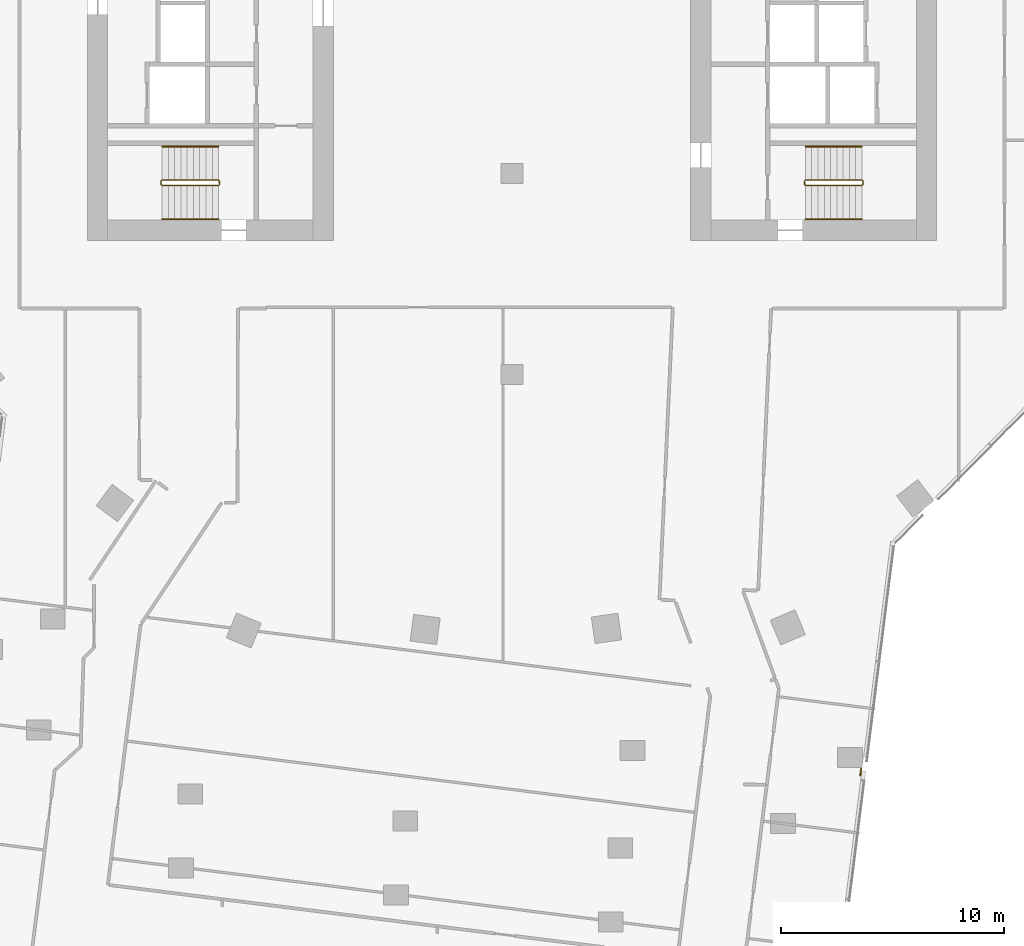
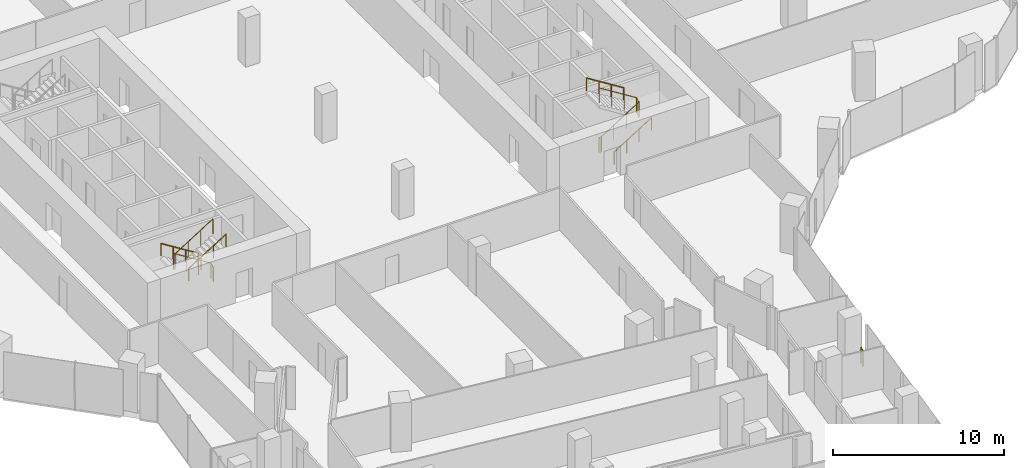
# One storey, part 25 of 27: 7 railings.
"""IFC4 building model written with IfcOpenShell, lengths in metres."""

from ifc_helpers import new_model, si_unit, direction, frame, origin, origin_2d, place, context, subcontext, project, spatial, circle, extrude, material, type_object, element, save


model = new_model("IFC4")

# Units and contexts
model_context = context("Model", 3, precision=1e-05, world=origin(), true_north=direction((0.0, 1.0)))
body_context = subcontext(model_context, "Body", "Model", "MODEL_VIEW")
ifc_project = project(units=[si_unit("LENGTHUNIT", "METRE"), si_unit("AREAUNIT", "SQUARE_METRE"), si_unit("VOLUMEUNIT", "CUBIC_METRE"), si_unit("PLANEANGLEUNIT", "RADIAN"), si_unit("MASSUNIT", "GRAM", prefix="KILO")], contexts=[model_context])

# Site, building, storey
site_placement = place(None, origin())
site = spatial("IfcSite", under=ifc_project, at=site_placement, CompositionType="ELEMENT")
building_placement = place(site_placement, origin())
building = spatial("IfcBuilding", under=site, at=building_placement, Name="Orlundy Tower", CompositionType="ELEMENT")
storey_placement = place(building_placement, frame((0.0, 0.0, 199.10009765625)))
storey = spatial("IfcBuildingStorey", under=building, at=storey_placement, Name="L52", CompositionType="ELEMENT", Elevation=199.10009765625)

# Railings
ifc_material_1 = material(Name="Steel balustrade", Category="steel")
railing_type_1 = type_object("IfcRailingType", Name="Stair Guard 1100", PredefinedType="GUARDRAIL", material=ifc_material_1)
railing_1_placement = place(storey_placement, frame((-13.090087890625, -9.35009765625, 0.0)))
element("IfcRailing", 1, at=railing_1_placement, inside=storey, type_object=railing_type_1, Name="L52 ST-W2 stair guard 1", PredefinedType="GUARDRAIL", context=body_context, shape_type="SweptSolid", body=[
    extrude(circle(Radius=0.02392578125, at=origin_2d()), frame((0.0, 0.0, 1.076171875), z_axis=(0.0, -1.0, 0.0), x_axis=(1.0, 0.0, 0.0)), (0.0, 0.0, 1.0), 0.14990234375),
    extrude(circle(Radius=0.02392578125, at=origin_2d()), frame((0.0, -0.14990234375, 1.076171875), z_axis=(-0.184313129624, 0.739963005698, 0.646902945152), x_axis=(-0.970351222016, -0.241699205484, 0.0)), (0.0, 0.0, 1.0), 0.270263671875),
    extrude(circle(Radius=0.02392578125, at=origin_2d()), frame((-0.0498046875, 0.050048828125, 1.2509765625), z_axis=(-0.847970611238, 0.0, 0.530043245855), x_axis=(0.0, -1.0, 0.0)), (0.0, 0.0, 1.0), 2.971923828125),
    extrude(circle(Radius=0.02392578125, at=origin_2d()), frame((-2.56982421875, 0.050048828125, 2.826171875), z_axis=(-0.707106781187, -0.707106781187, 0.0), x_axis=(0.707106781187, -0.707106781187, 0.0)), (0.0, 0.0, 1.0), 0.07080078125),
    extrude(circle(Radius=0.02392578125, at=origin_2d()), frame((-2.619873046875, 0.0, 2.826171875), z_axis=(0.0, -1.0, 0.0), x_axis=(1.0, 0.0, 0.0)), (0.0, 0.0, 1.0), 0.14990234375),
    extrude(circle(Radius=0.02392578125, at=origin_2d()), frame((-2.619873046875, -0.14990234375, 2.826171875), z_axis=(0.265383341853, -0.265383341853, 0.926899867156), x_axis=(0.707106781187, 0.707106781187, 0.0)), (0.0, 0.0, 1.0), 0.1884765625),
    extrude(circle(Radius=0.02392578125, at=origin_2d()), frame((-2.56982421875, -0.199951171875, 3.0009765625), z_axis=(0.847970611238, 0.0, 0.530043245855), x_axis=(0.0, 1.0, 0.0)), (0.0, 0.0, 1.0), 2.971923828125),
    extrude(circle(Radius=0.02099609375, at=origin_2d()), origin(), (0.0, 0.0, 1.0), 1.052001953125),
    extrude(circle(Radius=0.02099609375, at=origin_2d()), frame((0.0, -0.14990234375, 0.0)), (0.0, 0.0, 1.0), 1.052001953125),
    extrude(circle(Radius=0.02099609375, at=origin_2d()), frame((-0.0498046875, 0.050048828125, 0.1748046875)), (0.0, 0.0, 1.0), 1.052001953125),
    extrude(circle(Radius=0.02099609375, at=origin_2d()), frame((-0.889892578125, 0.050048828125, 0.699951171875)), (0.0, 0.0, 1.0), 1.052001953125),
    extrude(circle(Radius=0.02099609375, at=origin_2d()), frame((-1.729736328125, 0.050048828125, 1.224853515625)), (0.0, 0.0, 1.0), 1.052001953125),
    extrude(circle(Radius=0.02099609375, at=origin_2d()), frame((-2.56982421875, 0.050048828125, 1.75)), (0.0, 0.0, 1.0), 1.052001953125),
    extrude(circle(Radius=0.02099609375, at=origin_2d()), frame((-2.619873046875, 0.0, 1.75)), (0.0, 0.0, 1.0), 1.052001953125),
    extrude(circle(Radius=0.02099609375, at=origin_2d()), frame((-2.619873046875, -0.14990234375, 1.75)), (0.0, 0.0, 1.0), 1.052001953125),
    extrude(circle(Radius=0.02099609375, at=origin_2d()), frame((-2.56982421875, -0.199951171875, 1.9248046875)), (0.0, 0.0, 1.0), 1.052001953125),
    extrude(circle(Radius=0.02099609375, at=origin_2d()), frame((-1.729736328125, -0.199951171875, 2.449951171875)), (0.0, 0.0, 1.0), 1.052001953125),
    extrude(circle(Radius=0.02099609375, at=origin_2d()), frame((-0.889892578125, -0.199951171875, 2.974853515625)), (0.0, 0.0, 1.0), 1.052001953125),
    extrude(circle(Radius=0.02099609375, at=origin_2d()), frame((-0.0498046875, -0.199951171875, 3.5)), (0.0, 0.0, 1.0), 1.052001953125),
])
railing_2_placement = place(storey_placement, frame((13.090087890625, -9.5, 0.0)))
element("IfcRailing", 2, at=railing_2_placement, inside=storey, type_object=railing_type_1, Name="L52 ST-E1 stair guard 1", PredefinedType="GUARDRAIL", context=body_context, shape_type="SweptSolid", body=[
    extrude(circle(Radius=0.02392578125, at=origin_2d()), frame((0.0, 0.0, 1.076171875), z_axis=(0.0, 1.0, 0.0), x_axis=(-1.0, 0.0, 0.0)), (0.0, 0.0, 1.0), 0.14990234375),
    extrude(circle(Radius=0.02392578125, at=origin_2d()), frame((0.0, 0.14990234375, 1.076171875), z_axis=(0.184313129624, -0.739963005698, 0.646902945152), x_axis=(0.970351222016, 0.241699205484, 0.0)), (0.0, 0.0, 1.0), 0.270263671875),
    extrude(circle(Radius=0.02392578125, at=origin_2d()), frame((0.0498046875, -0.050048828125, 1.2509765625), z_axis=(0.847970611238, 0.0, 0.530043245855), x_axis=(0.0, 1.0, 0.0)), (0.0, 0.0, 1.0), 2.971923828125),
    extrude(circle(Radius=0.02392578125, at=origin_2d()), frame((2.56982421875, -0.050048828125, 2.826171875), z_axis=(0.707106781187, 0.707106781187, 0.0), x_axis=(-0.707106781187, 0.707106781187, 0.0)), (0.0, 0.0, 1.0), 0.07080078125),
    extrude(circle(Radius=0.02392578125, at=origin_2d()), frame((2.619873046875, 0.0, 2.826171875), z_axis=(0.0, 1.0, 0.0), x_axis=(-1.0, 0.0, 0.0)), (0.0, 0.0, 1.0), 0.14990234375),
    extrude(circle(Radius=0.02392578125, at=origin_2d()), frame((2.619873046875, 0.14990234375, 2.826171875), z_axis=(-0.265383341853, 0.265383341853, 0.926899867156), x_axis=(-0.707106781187, -0.707106781187, 0.0)), (0.0, 0.0, 1.0), 0.1884765625),
    extrude(circle(Radius=0.02392578125, at=origin_2d()), frame((2.56982421875, 0.199951171875, 3.0009765625), z_axis=(-0.847970611238, 0.0, 0.530043245855), x_axis=(0.0, -1.0, 0.0)), (0.0, 0.0, 1.0), 2.971923828125),
    extrude(circle(Radius=0.02099609375, at=origin_2d()), origin(), (0.0, 0.0, 1.0), 1.052001953125),
    extrude(circle(Radius=0.02099609375, at=origin_2d()), frame((0.0, 0.14990234375, 0.0)), (0.0, 0.0, 1.0), 1.052001953125),
    extrude(circle(Radius=0.02099609375, at=origin_2d()), frame((0.0498046875, -0.050048828125, 0.1748046875)), (0.0, 0.0, 1.0), 1.052001953125),
    extrude(circle(Radius=0.02099609375, at=origin_2d()), frame((0.889892578125, -0.050048828125, 0.699951171875)), (0.0, 0.0, 1.0), 1.052001953125),
    extrude(circle(Radius=0.02099609375, at=origin_2d()), frame((1.729736328125, -0.050048828125, 1.224853515625)), (0.0, 0.0, 1.0), 1.052001953125),
    extrude(circle(Radius=0.02099609375, at=origin_2d()), frame((2.56982421875, -0.050048828125, 1.75)), (0.0, 0.0, 1.0), 1.052001953125),
    extrude(circle(Radius=0.02099609375, at=origin_2d()), frame((2.619873046875, 0.0, 1.75)), (0.0, 0.0, 1.0), 1.052001953125),
    extrude(circle(Radius=0.02099609375, at=origin_2d()), frame((2.619873046875, 0.14990234375, 1.75)), (0.0, 0.0, 1.0), 1.052001953125),
    extrude(circle(Radius=0.02099609375, at=origin_2d()), frame((2.56982421875, 0.199951171875, 1.9248046875)), (0.0, 0.0, 1.0), 1.052001953125),
    extrude(circle(Radius=0.02099609375, at=origin_2d()), frame((1.729736328125, 0.199951171875, 2.449951171875)), (0.0, 0.0, 1.0), 1.052001953125),
    extrude(circle(Radius=0.02099609375, at=origin_2d()), frame((0.889892578125, 0.199951171875, 2.974853515625)), (0.0, 0.0, 1.0), 1.052001953125),
    extrude(circle(Radius=0.02099609375, at=origin_2d()), frame((0.0498046875, 0.199951171875, 3.5)), (0.0, 0.0, 1.0), 1.052001953125),
])
ifc_material_2 = material(Name="Steel handrail", Category="steel")
railing_type_2 = type_object("IfcRailingType", Name="Stair Handrail 900", PredefinedType="HANDRAIL", material=ifc_material_2)
railing_3_placement = place(storey_placement, frame((-13.139892578125, -7.800048828125, 0.1748046875)))
element("IfcRailing", 3, at=railing_3_placement, inside=storey, type_object=railing_type_2, Name="L52 ST-W2 stair handrail 1", PredefinedType="HANDRAIL", context=body_context, shape_type="SweptSolid", body=[
    extrude(circle(Radius=0.02392578125, at=origin_2d()), frame((0.0, 0.0, 0.8759765625), z_axis=(-0.847970611238, 0.0, 0.530043245855), x_axis=(0.0, -1.0, 0.0)), (0.0, 0.0, 1.0), 2.971923828125),
    extrude(circle(Radius=0.02099609375, at=origin_2d()), origin(), (0.0, 0.0, 1.0), 0.851806640625),
    extrude(circle(Radius=0.02099609375, at=origin_2d()), frame((-0.840087890625, 0.0, 0.525146484375)), (0.0, 0.0, 1.0), 0.851806640625),
    extrude(circle(Radius=0.02099609375, at=origin_2d()), frame((-1.679931640625, 0.0, 1.050048828125)), (0.0, 0.0, 1.0), 0.851806640625),
    extrude(circle(Radius=0.02099609375, at=origin_2d()), frame((-2.52001953125, 0.0, 1.5751953125)), (0.0, 0.0, 1.0), 0.851806640625),
])
for number, where, name in (
    (4, (-15.659912109375, -11.050048828125, 1.9248046875), "L52 ST-W2 stair handrail 2"),
    (5, (13.139892578125, -11.050048828125, 0.1748046875), "L52 ST-E1 stair handrail 1"),
):
    element("IfcRailing", number, at=place(storey_placement, frame(where)), inside=storey, type_object=railing_type_2, Name=name, PredefinedType="HANDRAIL", context=body_context, shape_type="SweptSolid", body=[
        extrude(circle(Radius=0.02392578125, at=origin_2d()), frame((0.0, 0.0, 0.8759765625), z_axis=(0.847970611238, 0.0, 0.530043245855), x_axis=(0.0, 1.0, 0.0)), (0.0, 0.0, 1.0), 2.971923828125),
        extrude(circle(Radius=0.02099609375, at=origin_2d()), origin(), (0.0, 0.0, 1.0), 0.851806640625),
        extrude(circle(Radius=0.02099609375, at=origin_2d()), frame((0.840087890625, 0.0, 0.525146484375)), (0.0, 0.0, 1.0), 0.851806640625),
        extrude(circle(Radius=0.02099609375, at=origin_2d()), frame((1.679931640625, 0.0, 1.050048828125)), (0.0, 0.0, 1.0), 0.851806640625),
        extrude(circle(Radius=0.02099609375, at=origin_2d()), frame((2.52001953125, 0.0, 1.5751953125)), (0.0, 0.0, 1.0), 0.851806640625),
    ])
railing_4_placement = place(storey_placement, frame((15.659912109375, -7.800048828125, 1.9248046875)))
element("IfcRailing", 6, at=railing_4_placement, inside=storey, type_object=railing_type_2, Name="L52 ST-E1 stair handrail 2", PredefinedType="HANDRAIL", context=body_context, shape_type="SweptSolid", body=[
    extrude(circle(Radius=0.02392578125, at=origin_2d()), frame((0.0, 0.0, 0.8759765625), z_axis=(-0.847970611238, 0.0, 0.530043245855), x_axis=(0.0, -1.0, 0.0)), (0.0, 0.0, 1.0), 2.971923828125),
    extrude(circle(Radius=0.02099609375, at=origin_2d()), origin(), (0.0, 0.0, 1.0), 0.851806640625),
    extrude(circle(Radius=0.02099609375, at=origin_2d()), frame((-0.840087890625, 0.0, 0.525146484375)), (0.0, 0.0, 1.0), 0.851806640625),
    extrude(circle(Radius=0.02099609375, at=origin_2d()), frame((-1.679931640625, 0.0, 1.050048828125)), (0.0, 0.0, 1.0), 0.851806640625),
    extrude(circle(Radius=0.02099609375, at=origin_2d()), frame((-2.52001953125, 0.0, 1.5751953125)), (0.0, 0.0, 1.0), 0.851806640625),
])
ifc_material_3 = material(Name="Stainless steel bronze finish", Category="steel")
railing_type_3 = type_object("IfcRailingType", Name="TG1 terrace guard", PredefinedType="GUARDRAIL", material=ifc_material_3)
railing_5_placement = place(storey_placement, frame((15.635498046875, -35.64208984375, 0.0)))
element("IfcRailing", 7, at=railing_5_placement, inside=storey, type_object=railing_type_3, Name="Guard TG-L52-E00", PredefinedType="GUARDRAIL", context=body_context, shape_type="SweptSolid", body=[
    extrude(circle(Radius=0.02490234375, at=origin_2d()), frame((0.0, 0.0, 1.09521484375), z_axis=(-0.124888627995, -0.992170766853, 0.0), x_axis=(0.992170766853, -0.124888627995, 0.0)), (0.0, 0.0, 1.0), 0.316650390625),
    extrude(circle(Radius=0.02001953125, at=origin_2d()), origin(), (0.0, 0.0, 1.0), 1.070068359375),
    extrude(circle(Radius=0.02001953125, at=origin_2d()), frame((-0.03955078125, -0.314208984375, 0.0)), (0.0, 0.0, 1.0), 1.070068359375),
])

save(model, "model.ifc")
